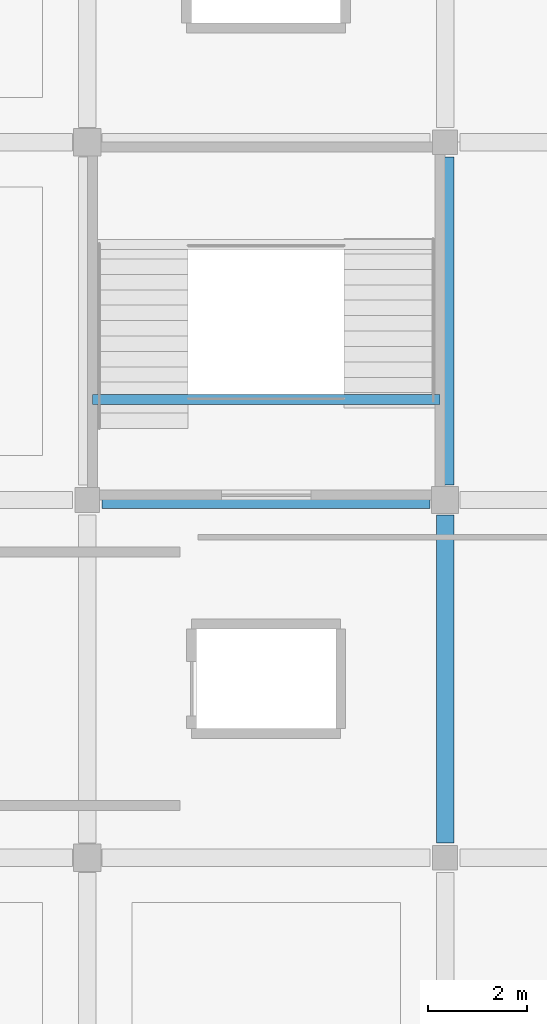
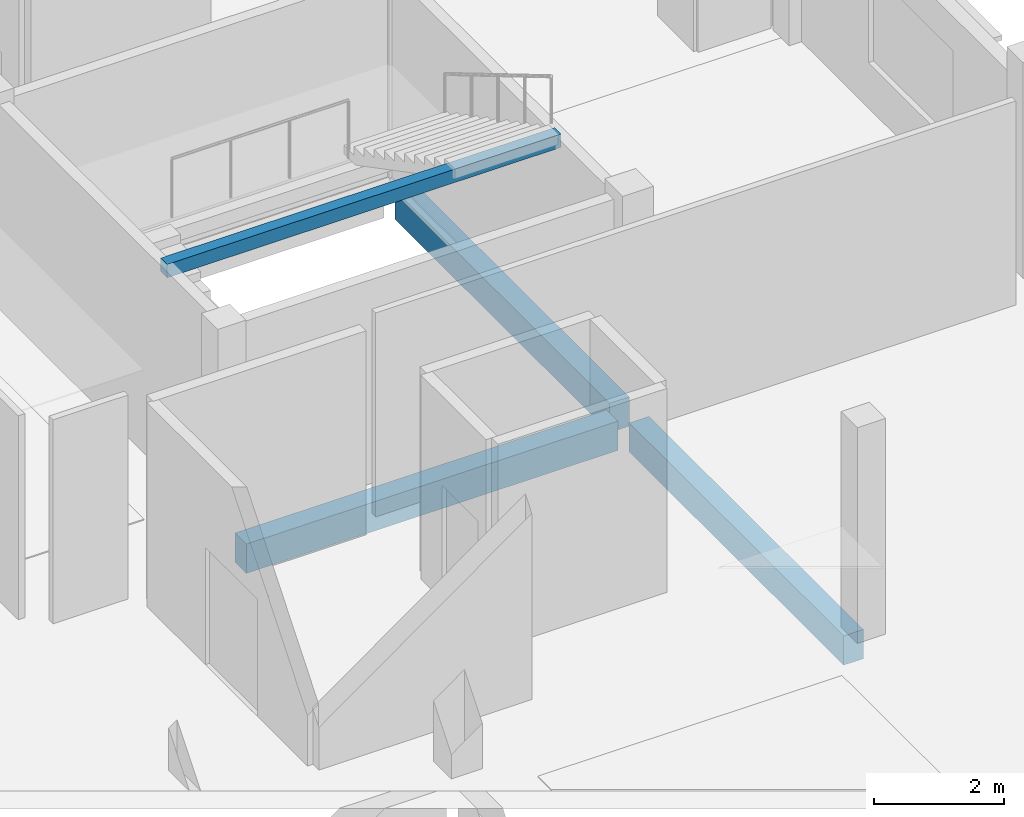
# One storey, part 7 of 26: 4 beams.
"""IFC4 building model written with IfcOpenShell, lengths in metres."""

from ifc_helpers import new_model, si_unit, direction, frame, origin, origin_2d, place, context, subcontext, project, spatial, rectangle, extrude, material, material_profile, profile_set, type_object, element, save


model = new_model("IFC4")

# Units and contexts
model_context = context("Model", 3, precision=1e-05, world=origin(), true_north=direction((0.0, 1.0)))
body_context = subcontext(model_context, "Body", "Model", "MODEL_VIEW")
ifc_project = project(units=[si_unit("LENGTHUNIT", "METRE"), si_unit("AREAUNIT", "SQUARE_METRE"), si_unit("VOLUMEUNIT", "CUBIC_METRE"), si_unit("PLANEANGLEUNIT", "RADIAN"), si_unit("MASSUNIT", "GRAM", prefix="KILO")], contexts=[model_context])

# Site, building, storey
site_placement = place(None, origin())
site = spatial("IfcSite", under=ifc_project, at=site_placement, CompositionType="ELEMENT")
building_placement = place(site_placement, origin())
building = spatial("IfcBuilding", under=site, at=building_placement, Name="Kangsadwip Square Police Headquarters", CompositionType="ELEMENT")
storey_placement = place(building_placement, frame((0.0, 0.0, 25.64990234375)))
storey = spatial("IfcBuildingStorey", under=building, at=storey_placement, Name="L06", CompositionType="ELEMENT", Elevation=25.64990234375)

# Beams
ifc_material_1 = material(Name="Concrete M35 (35 MPa)", Category="concrete")
ifc_material_profile_1 = material_profile(ifc_material_1, rectangle(XDim=0.35009765625, YDim=0.550048828125, at=origin_2d()), Name="RC BM 550X350")
ifc_profile_set_1 = profile_set([ifc_material_profile_1], Name="Concrete M35 (35 MPa)")
beam_type_1 = type_object("IfcBeamType", Name="RcBeam550x350", PredefinedType="BEAM", material=ifc_profile_set_1)
for number, where, z_axis, x_axis, name in (
    (1, (151.5, 57.60009765625, -0.494873046875), (1.0, 0.0, 0.0), (0.0, 1.0, 0.0), "Beam BM-L06-X-21-08"),
    (2, (158.39990234375, 50.699951171875, -0.494873046875), (0.0, 1.0, 0.0), (-1.0, 0.0, 0.0), "Beam BM-L06-Y-22-07"),
    (3, (158.39990234375, 57.89990234375, -0.494873046875), (0.0, 1.0, 0.0), (-1.0, 0.0, 0.0), "Beam BM-L06-Y-22-08"),
):
    element("IfcBeam", number, at=place(storey_placement, frame(where, z_axis=z_axis, x_axis=x_axis)), inside=storey, type_object=beam_type_1, Name=name, PredefinedType="BEAM", context=body_context, shape_type="SweptSolid", body=[
        extrude(rectangle(XDim=0.35009765625, YDim=0.550048828125, at=origin_2d()), origin(), (0.0, 0.0, 1.0), 6.60009765625),
    ])
ifc_material_2 = material(Name="Concrete M30 (30 MPa)", Category="concrete")
ifc_material_profile_2 = material_profile(ifc_material_2, rectangle(XDim=0.199951171875, YDim=0.25, at=origin_2d()), Name="RC LNT 250X200")
ifc_profile_set_2 = profile_set([ifc_material_profile_2], Name="Concrete M30 (30 MPa)")
beam_type_2 = type_object("IfcBeamType", Name="RcLintel250x200", PredefinedType="LINTEL", material=ifc_profile_set_2)
beam_placement = place(storey_placement, frame((151.300048828125, 59.6201171875, 3.705078125), z_axis=(1.0, 0.0, 0.0), x_axis=(0.0, 1.0, 0.0)))
element("IfcBeam", 4, at=beam_placement, inside=storey, type_object=beam_type_2, Name="Stair Carriage and Landing Beam BM-ST-L06-055", PredefinedType="BEAM", context=body_context, shape_type="SweptSolid", body=[
    extrude(rectangle(XDim=0.199951171875, YDim=0.25, at=origin_2d()), origin(), (0.0, 0.0, 1.0), 7.0),
])

save(model, "model.ifc")
